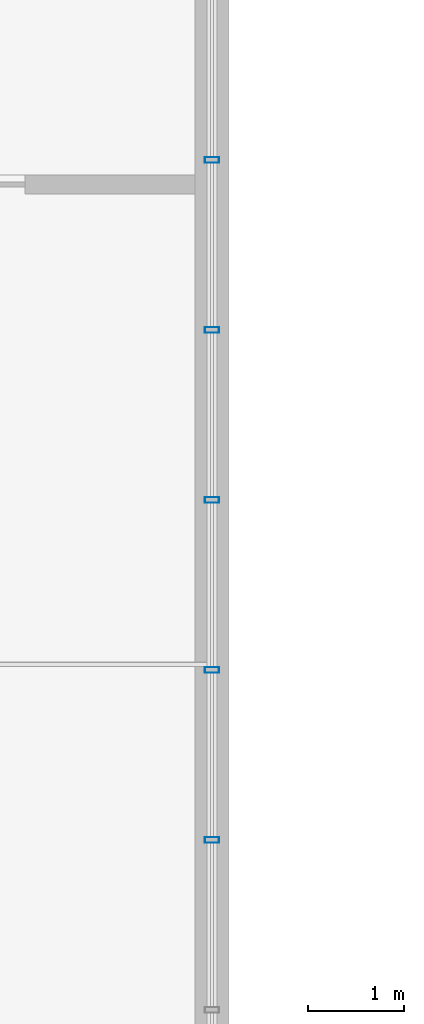
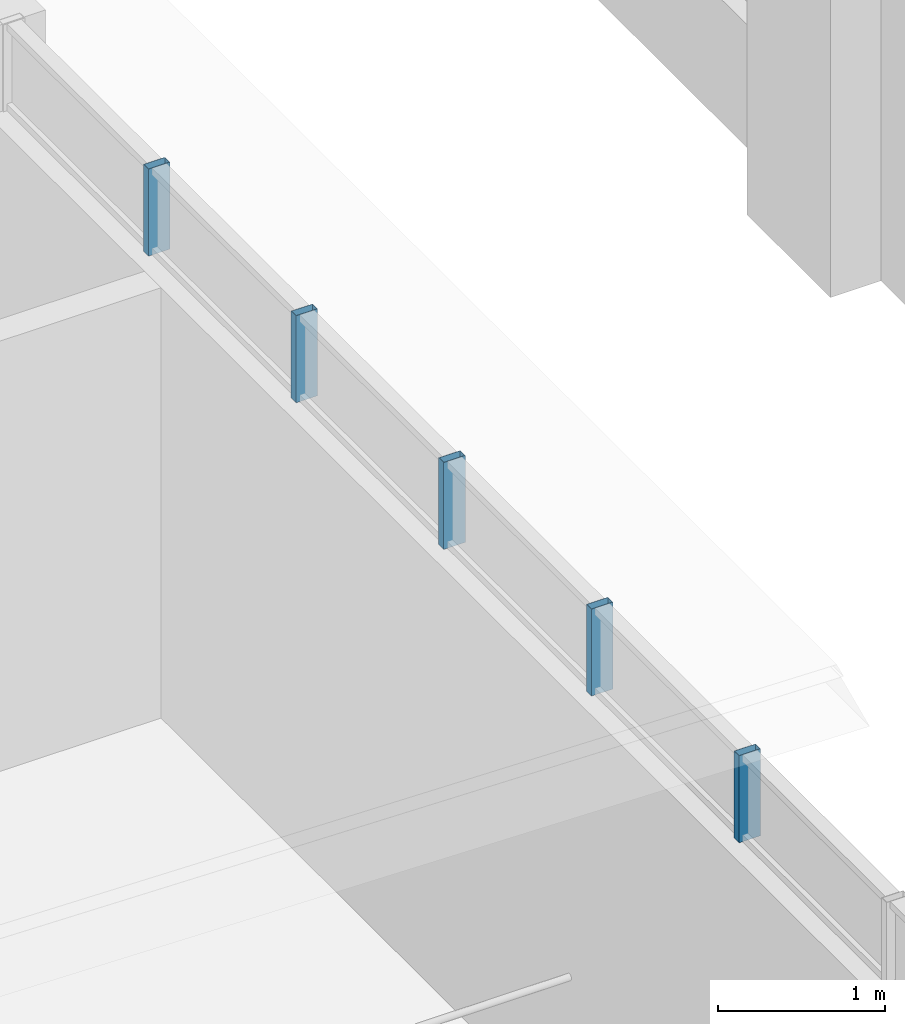
# One storey, part 48 of 92: 5 members, 1 element without a shape of its own.
"""IFC4 building model written with IfcOpenShell, lengths in metres."""

from ifc_helpers import new_model, si_unit, direction, frame, origin, origin_2d, place, context, subcontext, project, spatial, hollow_rectangle, extrude, material, material_profile, profile_set, type_object, element, aggregate, save


model = new_model("IFC4")

# Units and contexts
model_context = context("Model", 3, precision=1e-05, world=origin(), true_north=direction((0.0, 1.0)))
body_context = subcontext(model_context, "Body", "Model", "MODEL_VIEW")
ifc_project = project(units=[si_unit("LENGTHUNIT", "METRE"), si_unit("AREAUNIT", "SQUARE_METRE"), si_unit("VOLUMEUNIT", "CUBIC_METRE"), si_unit("PLANEANGLEUNIT", "RADIAN"), si_unit("MASSUNIT", "GRAM", prefix="KILO")], contexts=[model_context])

# Site, building, storey
site_placement = place(None, origin())
site = spatial("IfcSite", under=ifc_project, at=site_placement, CompositionType="ELEMENT")
building_placement = place(site_placement, origin())
building = spatial("IfcBuilding", under=site, at=building_placement, Name="Laocheng Heights Fire and Rescue Headquarters", CompositionType="ELEMENT")
storey_placement = place(building_placement, frame((0.0, 0.0, 12.60009765625)))
storey = spatial("IfcBuildingStorey", under=building, at=storey_placement, Name="L03", CompositionType="ELEMENT", Elevation=12.60009765625)

# Curtain wall, members
ifc_material_1 = material(Name="Dark anodised aluminium unitised curtain wall, low-e double glazing", Category="aluminium")
curtain_wall_type = type_object("IfcCurtainWallType", Name="CW 21250 x 636 THEATRE CLERESTORY", PredefinedType="NOTDEFINED", material=ifc_material_1)
curtain_wall_placement = place(storey_placement, origin())
curtain_wall = element("IfcCurtainWall", 1, at=curtain_wall_placement, inside=storey, type_object=curtain_wall_type, Name="X5-V THEATRE CLERESTORY EAST", PredefinedType="NOTDEFINED")
ifc_material_2 = material(Name="Dark anodised aluminium 6063-T5 extrusion", Category="aluminium")
ifc_material_profile = material_profile(ifc_material_2, hollow_rectangle(XDim=0.14990234375, YDim=0.06005859375, WallThickness=0.0029296875, at=origin_2d()), Name="AL MULLION 150x60x3 THEATRE CLERESTORY")
ifc_profile_set = profile_set([ifc_material_profile], Name="Dark anodised aluminium 6063-T5 extrusion")
member_type = type_object("IfcMemberType", Name="AL MULLION 150x60x3 THEATRE CLERESTORY", PredefinedType="MULLION", material=ifc_profile_set)
member_1_placement = place(storey_placement, frame((30.0, 48.57080078125, 3.14990234375), z_axis=(0.0, 0.0, 1.0), x_axis=(-1.0, 0.0, 0.0)))
member_1 = element("IfcMember", 2, at=member_1_placement, type_object=member_type, Name="X5-V mullion 8", PredefinedType="MULLION", context=body_context, shape_type="SweptSolid", body=[
    extrude(hollow_rectangle(XDim=0.14990234375, YDim=0.06005859375, WallThickness=0.0029296875, at=origin_2d()), origin(), (0.0, 0.0, 1.0), 0.63623046875),
])
member_2_placement = place(storey_placement, frame((30.0, 50.341552734375, 3.14990234375), z_axis=(0.0, 0.0, 1.0), x_axis=(-1.0, 0.0, 0.0)))
member_2 = element("IfcMember", 3, at=member_2_placement, type_object=member_type, Name="X5-V mullion 9", PredefinedType="MULLION", context=body_context, shape_type="SweptSolid", body=[
    extrude(hollow_rectangle(XDim=0.14990234375, YDim=0.06005859375, WallThickness=0.0029296875, at=origin_2d()), origin(), (0.0, 0.0, 1.0), 0.63623046875),
])
member_3_placement = place(storey_placement, frame((30.0, 52.112548828125, 3.14990234375), z_axis=(0.0, 0.0, 1.0), x_axis=(-1.0, 0.0, 0.0)))
member_3 = element("IfcMember", 4, at=member_3_placement, type_object=member_type, Name="X5-V mullion 10", PredefinedType="MULLION", context=body_context, shape_type="SweptSolid", body=[
    extrude(hollow_rectangle(XDim=0.14990234375, YDim=0.06005859375, WallThickness=0.0029296875, at=origin_2d()), origin(), (0.0, 0.0, 1.0), 0.63623046875),
])
member_4_placement = place(storey_placement, frame((30.0, 53.88330078125, 3.14990234375), z_axis=(0.0, 0.0, 1.0), x_axis=(-1.0, 0.0, 0.0)))
member_4 = element("IfcMember", 5, at=member_4_placement, type_object=member_type, Name="X5-V mullion 11", PredefinedType="MULLION", context=body_context, shape_type="SweptSolid", body=[
    extrude(hollow_rectangle(XDim=0.14990234375, YDim=0.06005859375, WallThickness=0.0029296875, at=origin_2d()), origin(), (0.0, 0.0, 1.0), 0.63623046875),
])
member_5_placement = place(storey_placement, frame((30.0, 55.654052734375, 3.14990234375), z_axis=(0.0, 0.0, 1.0), x_axis=(-1.0, 0.0, 0.0)))
member_5 = element("IfcMember", 6, at=member_5_placement, type_object=member_type, Name="X5-V mullion 12", PredefinedType="MULLION", context=body_context, shape_type="SweptSolid", body=[
    extrude(hollow_rectangle(XDim=0.14990234375, YDim=0.06005859375, WallThickness=0.0029296875, at=origin_2d()), origin(), (0.0, 0.0, 1.0), 0.63623046875),
])
aggregate(curtain_wall, [member_1, member_2, member_3, member_4, member_5])

save(model, "model.ifc")
